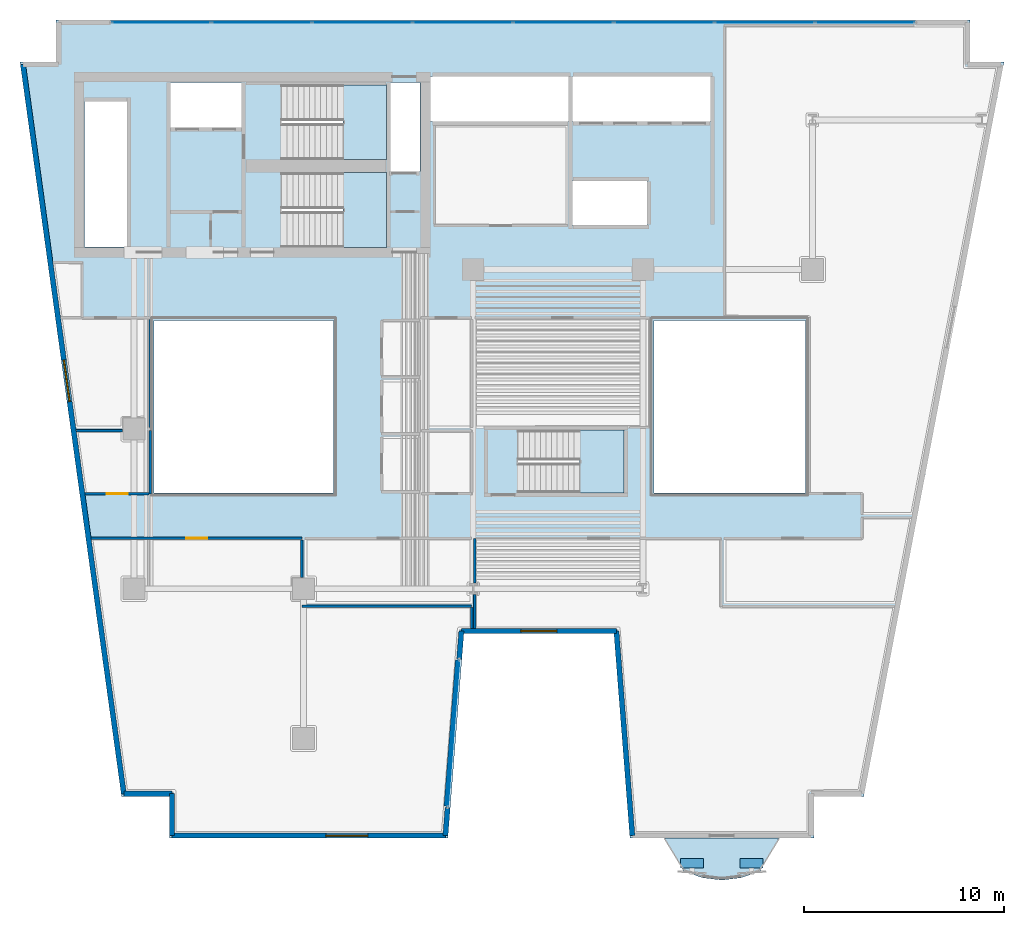
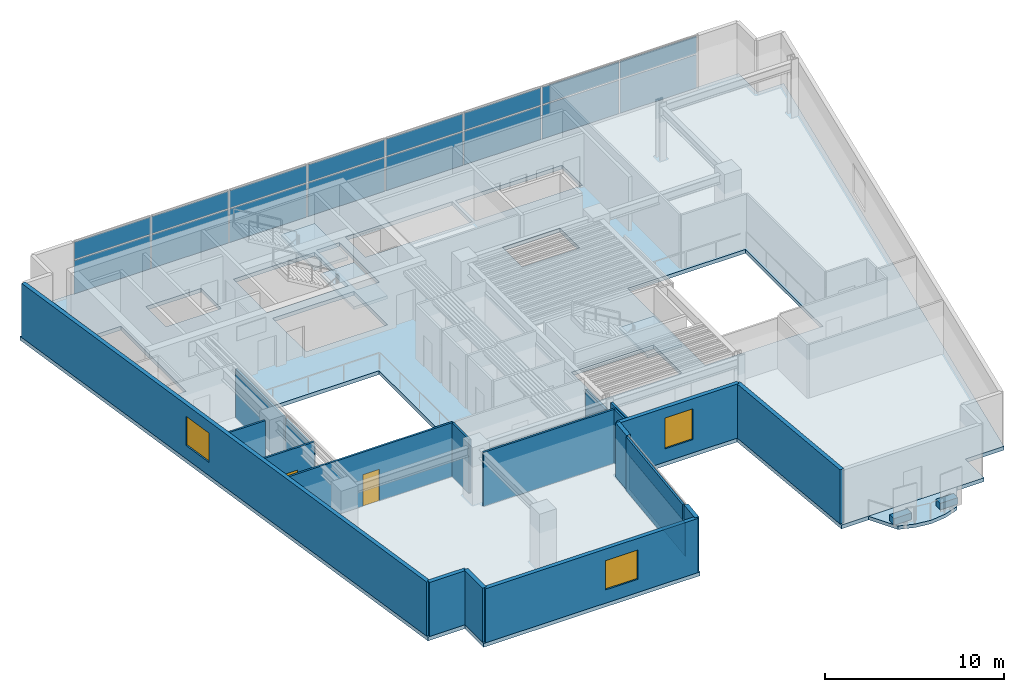
# One storey, part 5 of 12: 20 plates, 19 walls, 5 slabs, 3 windows, 2 doors, 5 openings, 5 elements without a shape of their own.
"""IFC4 building model written with IfcOpenShell, lengths in metres."""

from ifc_helpers import new_model, si_unit, direction, frame, frame_2d, origin, origin_2d, place, context, subcontext, project, spatial, polyline, rectangle, outline, extrude, material, layer, layer_set, type_object, element, fill, aggregate, save


model = new_model("IFC4")

# Units and contexts
model_context = context("Model", 3, precision=1e-05, world=origin(), true_north=direction((0.0, 1.0)))
body_context = subcontext(model_context, "Body", "Model", "MODEL_VIEW")
ifc_project = project(units=[si_unit("LENGTHUNIT", "METRE"), si_unit("AREAUNIT", "SQUARE_METRE"), si_unit("VOLUMEUNIT", "CUBIC_METRE"), si_unit("PLANEANGLEUNIT", "RADIAN"), si_unit("MASSUNIT", "GRAM", prefix="KILO")], contexts=[model_context])

# Site, building, storey
site_placement = place(None, origin())
site = spatial("IfcSite", under=ifc_project, at=site_placement, CompositionType="ELEMENT")
building_placement = place(site_placement, origin())
building = spatial("IfcBuilding", under=site, at=building_placement, Name="Caeloran Harvest Quay", CompositionType="ELEMENT")
storey_placement = place(building_placement, frame((0.0, 0.0, 111.39990234375)))
storey = spatial("IfcBuildingStorey", under=building, at=storey_placement, Name="L25", CompositionType="ELEMENT", Elevation=111.39990234375)

# Slab
ifc_material_1 = material(Name="Concrete C50/60", Category="concrete")
ifc_layer_1 = layer(ifc_material_1, 0.239990234375, Name="Concrete C50/60")
ifc_layer_set_1 = layer_set([ifc_layer_1], Name="Concrete C50/60")
slab_type_1 = type_object("IfcSlabType", Name="BALCONY-BL-240", PredefinedType="FLOOR", material=ifc_layer_set_1)
slab_1_placement = place(storey_placement, frame((0.0, 0.0, -0.239990234375)))
element("IfcSlab", 1, at=slab_1_placement, inside=storey, type_object=slab_type_1, Name="L25 Scalloped Cantilevered Planted Balcony Slab", PredefinedType="FLOOR", context=body_context, shape_type="SweptSolid", body=[
    extrude(outline(polyline([(39.869873046875, 0.839599609375), (38.913818359375, 0.51708984375), (37.95751953125, 0.39892578125), (37.001220703125, 0.51708984375), (36.045166015625, 0.839599609375), (35.100341796875, 2.5), (40.814697265625, 2.5), (39.869873046875, 0.839599609375)])), origin(), (0.0, 0.0, 1.0), 0.239990234375),
])

# Curtain wall, plates
ifc_material_2 = material(Name="Aluminium 6063-T6 and Low-E Glazing", Category="aluminium")
ifc_layer_2 = layer(ifc_material_2, 0.18994140625, Name="Aluminium 6063-T6 and Low-E Glazing")
ifc_layer_set_2 = layer_set([ifc_layer_2], Name="Aluminium 6063-T6 and Low-E Glazing")
curtain_wall_type = type_object("IfcCurtainWallType", Name="CW-SYS-CW-3", PredefinedType="USERDEFINED", material=ifc_layer_set_2)
curtain_wall_1_placement = place(storey_placement, origin())
curtain_wall_1 = element("IfcCurtainWall", 2, at=curtain_wall_1_placement, inside=storey, type_object=curtain_wall_type, Name="L25 Unitised Curtain Wall CW-3 Run 6", ObjectType="CURTAIN_WALL", PredefinedType="USERDEFINED")
ifc_material_3 = material(Name="Low-E Double Glazed Vision Glass Unit", Category="glass")
ifc_layer_3 = layer(ifc_material_3, 0.035888671875, Name="Low-E Double Glazed Vision Glass Unit")
ifc_layer_set_3 = layer_set([ifc_layer_3], Name="Low-E Double Glazed Vision Glass Unit")
plate_type_1 = type_object("IfcPlateType", Name="CW-VISION-PANEL", PredefinedType="CURTAIN_PANEL", material=ifc_layer_set_3)
plate_1_placement = place(storey_placement, frame((9.871337890625, 43.3701171875, 0.080078125), z_axis=(0.0, 0.0, 1.0), x_axis=(1.0, 0.0, 0.0)))
plate_1 = element("IfcPlate", 3, at=plate_1_placement, type_object=plate_type_1, Name="CW-3 panel 1.1", PredefinedType="CURTAIN_PANEL", context=body_context, shape_type="SweptSolid", body=[
    extrude(rectangle(XDim=4.922607421875, YDim=0.035888671875, at=origin_2d()), origin(), (0.0, 0.0, 1.0), 2.280029296875),
])
plate_2_placement = place(storey_placement, frame((9.871337890625, 43.3701171875, 2.440185546875), z_axis=(0.0, 0.0, 1.0), x_axis=(1.0, 0.0, 0.0)))
plate_2 = element("IfcPlate", 4, at=plate_2_placement, type_object=plate_type_1, Name="CW-3 panel 1.2", PredefinedType="CURTAIN_PANEL", context=body_context, shape_type="SweptSolid", body=[
    extrude(rectangle(XDim=4.922607421875, YDim=0.035888671875, at=origin_2d()), origin(), (0.0, 0.0, 1.0), 1.169921875),
])
plate_3_placement = place(storey_placement, frame((14.893798828125, 43.3701171875, 0.080078125), z_axis=(0.0, 0.0, 1.0), x_axis=(1.0, 0.0, 0.0)))
plate_3 = element("IfcPlate", 5, at=plate_3_placement, type_object=plate_type_1, Name="CW-3 panel 2.1", PredefinedType="CURTAIN_PANEL", context=body_context, shape_type="SweptSolid", body=[
    extrude(rectangle(XDim=4.96240234375, YDim=0.035888671875, at=origin_2d()), origin(), (0.0, 0.0, 1.0), 2.280029296875),
])
plate_4_placement = place(storey_placement, frame((14.893798828125, 43.3701171875, 2.440185546875), z_axis=(0.0, 0.0, 1.0), x_axis=(1.0, 0.0, 0.0)))
plate_4 = element("IfcPlate", 6, at=plate_4_placement, type_object=plate_type_1, Name="CW-3 panel 2.2", PredefinedType="CURTAIN_PANEL", context=body_context, shape_type="SweptSolid", body=[
    extrude(rectangle(XDim=4.96240234375, YDim=0.035888671875, at=origin_2d()), origin(), (0.0, 0.0, 1.0), 1.169921875),
])
plate_5_placement = place(storey_placement, frame((19.936279296875, 43.3701171875, 0.080078125), z_axis=(0.0, 0.0, 1.0), x_axis=(1.0, 0.0, 0.0)))
plate_5 = element("IfcPlate", 7, at=plate_5_placement, type_object=plate_type_1, Name="CW-3 panel 3.1", PredefinedType="CURTAIN_PANEL", context=body_context, shape_type="SweptSolid", body=[
    extrude(rectangle(XDim=4.96240234375, YDim=0.035888671875, at=origin_2d()), origin(), (0.0, 0.0, 1.0), 2.280029296875),
])
plate_6_placement = place(storey_placement, frame((19.936279296875, 43.3701171875, 2.440185546875), z_axis=(0.0, 0.0, 1.0), x_axis=(1.0, 0.0, 0.0)))
plate_6 = element("IfcPlate", 8, at=plate_6_placement, type_object=plate_type_1, Name="CW-3 panel 3.2", PredefinedType="CURTAIN_PANEL", context=body_context, shape_type="SweptSolid", body=[
    extrude(rectangle(XDim=4.96240234375, YDim=0.035888671875, at=origin_2d()), origin(), (0.0, 0.0, 1.0), 1.169921875),
])
plate_7_placement = place(storey_placement, frame((24.978759765625, 43.3701171875, 0.080078125), z_axis=(0.0, 0.0, 1.0), x_axis=(1.0, 0.0, 0.0)))
plate_7 = element("IfcPlate", 9, at=plate_7_placement, type_object=plate_type_1, Name="CW-3 panel 4.1", PredefinedType="CURTAIN_PANEL", context=body_context, shape_type="SweptSolid", body=[
    extrude(rectangle(XDim=4.96240234375, YDim=0.035888671875, at=origin_2d()), origin(), (0.0, 0.0, 1.0), 2.280029296875),
])
plate_8_placement = place(storey_placement, frame((24.978759765625, 43.3701171875, 2.440185546875), z_axis=(0.0, 0.0, 1.0), x_axis=(1.0, 0.0, 0.0)))
plate_8 = element("IfcPlate", 10, at=plate_8_placement, type_object=plate_type_1, Name="CW-3 panel 4.2", PredefinedType="CURTAIN_PANEL", context=body_context, shape_type="SweptSolid", body=[
    extrude(rectangle(XDim=4.96240234375, YDim=0.035888671875, at=origin_2d()), origin(), (0.0, 0.0, 1.0), 1.169921875),
])
plate_9_placement = place(storey_placement, frame((30.021240234375, 43.3701171875, 0.080078125), z_axis=(0.0, 0.0, 1.0), x_axis=(1.0, 0.0, 0.0)))
plate_9 = element("IfcPlate", 11, at=plate_9_placement, type_object=plate_type_1, Name="CW-3 panel 5.1", PredefinedType="CURTAIN_PANEL", context=body_context, shape_type="SweptSolid", body=[
    extrude(rectangle(XDim=4.96240234375, YDim=0.035888671875, at=origin_2d()), origin(), (0.0, 0.0, 1.0), 2.280029296875),
])
plate_10_placement = place(storey_placement, frame((30.021240234375, 43.3701171875, 2.440185546875), z_axis=(0.0, 0.0, 1.0), x_axis=(1.0, 0.0, 0.0)))
plate_10 = element("IfcPlate", 12, at=plate_10_placement, type_object=plate_type_1, Name="CW-3 panel 5.2", PredefinedType="CURTAIN_PANEL", context=body_context, shape_type="SweptSolid", body=[
    extrude(rectangle(XDim=4.96240234375, YDim=0.035888671875, at=origin_2d()), origin(), (0.0, 0.0, 1.0), 1.169921875),
])
plate_11_placement = place(storey_placement, frame((35.063720703125, 43.3701171875, 0.080078125), z_axis=(0.0, 0.0, 1.0), x_axis=(1.0, 0.0, 0.0)))
plate_11 = element("IfcPlate", 13, at=plate_11_placement, type_object=plate_type_1, Name="CW-3 panel 6.1", PredefinedType="CURTAIN_PANEL", context=body_context, shape_type="SweptSolid", body=[
    extrude(rectangle(XDim=4.96240234375, YDim=0.035888671875, at=origin_2d()), origin(), (0.0, 0.0, 1.0), 2.280029296875),
])
plate_12_placement = place(storey_placement, frame((35.063720703125, 43.3701171875, 2.440185546875), z_axis=(0.0, 0.0, 1.0), x_axis=(1.0, 0.0, 0.0)))
plate_12 = element("IfcPlate", 14, at=plate_12_placement, type_object=plate_type_1, Name="CW-3 panel 6.2", PredefinedType="CURTAIN_PANEL", context=body_context, shape_type="SweptSolid", body=[
    extrude(rectangle(XDim=4.96240234375, YDim=0.035888671875, at=origin_2d()), origin(), (0.0, 0.0, 1.0), 1.169921875),
])
plate_13_placement = place(storey_placement, frame((40.106201171875, 43.3701171875, 0.080078125), z_axis=(0.0, 0.0, 1.0), x_axis=(1.0, 0.0, 0.0)))
plate_13 = element("IfcPlate", 15, at=plate_13_placement, type_object=plate_type_1, Name="CW-3 panel 7.1", PredefinedType="CURTAIN_PANEL", context=body_context, shape_type="SweptSolid", body=[
    extrude(rectangle(XDim=4.96240234375, YDim=0.035888671875, at=origin_2d()), origin(), (0.0, 0.0, 1.0), 2.280029296875),
])
plate_14_placement = place(storey_placement, frame((40.106201171875, 43.3701171875, 2.440185546875), z_axis=(0.0, 0.0, 1.0), x_axis=(1.0, 0.0, 0.0)))
plate_14 = element("IfcPlate", 16, at=plate_14_placement, type_object=plate_type_1, Name="CW-3 panel 7.2", PredefinedType="CURTAIN_PANEL", context=body_context, shape_type="SweptSolid", body=[
    extrude(rectangle(XDim=4.96240234375, YDim=0.035888671875, at=origin_2d()), origin(), (0.0, 0.0, 1.0), 1.169921875),
])
plate_15_placement = place(storey_placement, frame((45.128662109375, 43.3701171875, 0.080078125), z_axis=(0.0, 0.0, 1.0), x_axis=(1.0, 0.0, 0.0)))
plate_15 = element("IfcPlate", 17, at=plate_15_placement, type_object=plate_type_1, Name="CW-3 panel 8.1", PredefinedType="CURTAIN_PANEL", context=body_context, shape_type="SweptSolid", body=[
    extrude(rectangle(XDim=4.922607421875, YDim=0.035888671875, at=origin_2d()), origin(), (0.0, 0.0, 1.0), 2.280029296875),
])
plate_16_placement = place(storey_placement, frame((45.128662109375, 43.3701171875, 2.440185546875), z_axis=(0.0, 0.0, 1.0), x_axis=(1.0, 0.0, 0.0)))
plate_16 = element("IfcPlate", 18, at=plate_16_placement, type_object=plate_type_1, Name="CW-3 panel 8.2", PredefinedType="CURTAIN_PANEL", context=body_context, shape_type="SweptSolid", body=[
    extrude(rectangle(XDim=4.922607421875, YDim=0.035888671875, at=origin_2d()), origin(), (0.0, 0.0, 1.0), 1.169921875),
])
aggregate(curtain_wall_1, [plate_1, plate_2, plate_3, plate_4, plate_5, plate_6, plate_7, plate_8, plate_9, plate_10, plate_11, plate_12, plate_13, plate_14, plate_15, plate_16])

curtain_wall_2_placement = place(storey_placement, origin())
curtain_wall_2 = element("IfcCurtainWall", 19, at=curtain_wall_2_placement, inside=storey, type_object=curtain_wall_type, Name="L25 Unitised Curtain Wall CW-3 Run 15", ObjectType="CURTAIN_WALL", PredefinedType="USERDEFINED")
plate_17_placement = place(storey_placement, frame((24.509765625, 7.7548828125, 0.080078125), z_axis=(0.0, 0.0, 1.0), x_axis=(-0.077821861046, -0.996967280277, 0.0)))
plate_17 = element("IfcPlate", 20, at=plate_17_placement, type_object=plate_type_1, Name="CW-3 panel 1.1", PredefinedType="CURTAIN_PANEL", context=body_context, shape_type="SweptSolid", body=[
    extrude(rectangle(XDim=7.3212890625, YDim=0.035888671875, at=origin_2d()), origin(), (0.0, 0.0, 1.0), 2.280029296875),
])
plate_18_placement = place(storey_placement, frame((24.509765625, 7.7548828125, 2.440185546875), z_axis=(0.0, 0.0, 1.0), x_axis=(-0.077821861046, -0.996967280277, 0.0)))
plate_18 = element("IfcPlate", 21, at=plate_18_placement, type_object=plate_type_1, Name="CW-3 panel 1.2", PredefinedType="CURTAIN_PANEL", context=body_context, shape_type="SweptSolid", body=[
    extrude(rectangle(XDim=7.3212890625, YDim=0.035888671875, at=origin_2d()), origin(), (0.0, 0.0, 1.0), 1.169921875),
])
aggregate(curtain_wall_2, [plate_17, plate_18])

# Plates
ifc_material_4 = material(Name="Precast concrete C50/60", Category="concrete")
ifc_layer_4 = layer(ifc_material_4, 0.449951171875, Name="Precast concrete C50/60")
ifc_layer_set_4 = layer_set([ifc_layer_4], Name="Precast concrete C50/60")
plate_type_2 = type_object("IfcPlateType", Name="PLANTER-TROUGH-450", PredefinedType="USERDEFINED", material=ifc_layer_set_4)
for number, where, z_axis, x_axis, name in (
    (22, (39.44921875, 1.246826171875, 0.0), (0.0, 0.0, 1.0), (1.0, 0.0, 0.0), "L25 Balcony Vertical-Greenery Precast PLANTER Trough 1"),
    (23, (36.4658203125, 1.246826171875, 0.0), (0.0, 0.0, 1.0), (1.0, 0.0, 0.0), "L25 Balcony Vertical-Greenery Precast PLANTER Trough 2"),
):
    element("IfcPlate", number, at=place(storey_placement, frame(where, z_axis=z_axis, x_axis=x_axis)), inside=storey, type_object=plate_type_2, Name=name, ObjectType="PLANTER", PredefinedType="USERDEFINED", context=body_context, shape_type="SweptSolid", body=[
        extrude(rectangle(XDim=1.14990234375, YDim=0.47998046875, at=origin_2d()), origin(), (0.0, 0.0, 1.0), 0.449951171875),
    ])

# Slab
ifc_layer_5 = layer(ifc_material_1, 0.260009765625, Name="Concrete C50/60")
ifc_layer_set_5 = layer_set([ifc_layer_5], Name="Concrete C50/60")
slab_type_2 = type_object("IfcSlabType", Name="SLAB-FS-260", PredefinedType="FLOOR", material=ifc_layer_set_5)
slab_2_placement = place(storey_placement, frame((0.0, 0.0, -0.260009765625)))
element("IfcSlab", 24, at=slab_2_placement, inside=storey, type_object=slab_type_2, Name="L25 Structural Floor Slab", PredefinedType="FLOOR", context=body_context, shape_type="SweptSolid", body=[
    extrude(outline(polyline([(10.27001953125, 2.5), (24.22998046875, 2.5), (25.030029296875, 12.75), (32.554931640625, 12.75), (33.35498046875, 2.5), (42.570068359375, 2.5), (42.570068359375, 4.60009765625), (45.071044921875, 4.60009765625), (52.09912109375, 41.39990234375), (50.39990234375, 41.39990234375), (50.39990234375, 43.5), (4.60009765625, 43.5), (4.60009765625, 41.39990234375), (2.790283203125, 41.39990234375), (7.879638671875, 4.60009765625), (10.27001953125, 4.60009765625), (10.27001953125, 2.5)]), holes=[polyline([(18.5, 19.800048828125), (9.5, 19.800048828125), (9.5, 28.449951171875), (18.5, 28.449951171875), (18.5, 19.800048828125)]), polyline([(15.89990234375, 32.10009765625), (15.89990234375, 35.85009765625), (21.14990234375, 35.85009765625), (21.14990234375, 32.10009765625), (15.89990234375, 32.10009765625)]), polyline([(8.159912109375, 32.1201171875), (6.02001953125, 32.1201171875), (6.02001953125, 39.419921875), (8.159912109375, 39.419921875), (8.159912109375, 32.1201171875)]), polyline([(21.35009765625, 35.919921875), (21.35009765625, 40.3798828125), (22.830078125, 40.3798828125), (22.830078125, 35.919921875), (21.35009765625, 35.919921875)]), polyline([(15.89990234375, 40.25), (21.14990234375, 40.25), (21.14990234375, 36.5), (15.89990234375, 36.5), (15.89990234375, 40.25)]), polyline([(13.89990234375, 38.1201171875), (10.320068359375, 38.1201171875), (10.320068359375, 40.3798828125), (13.89990234375, 40.3798828125), (13.89990234375, 38.1201171875)]), polyline([(27.75, 22.949951171875), (33.050048828125, 22.949951171875), (33.050048828125, 19.800048828125), (27.75, 19.800048828125), (27.75, 22.949951171875)]), polyline([(34.550048828125, 19.800048828125), (34.550048828125, 28.449951171875), (42.14990234375, 28.449951171875), (42.14990234375, 19.800048828125), (34.550048828125, 19.800048828125)]), polyline([(34.199951171875, 33.219970703125), (30.47998046875, 33.219970703125), (30.47998046875, 35.429931640625), (34.199951171875, 35.429931640625), (34.199951171875, 33.219970703125)]), polyline([(23.3701171875, 38.419921875), (23.3701171875, 40.679931640625), (30.280029296875, 40.679931640625), (30.280029296875, 38.419921875), (23.3701171875, 38.419921875)]), polyline([(30.47998046875, 38.419921875), (30.47998046875, 40.679931640625), (37.3798828125, 40.679931640625), (37.3798828125, 38.419921875), (30.47998046875, 38.419921875)])]), origin(), (0.0, 0.0, 1.0), 0.260009765625),
])

# Stair, slab
stair_type_1 = type_object("IfcStairType", Name="STAIR-STC-180", PredefinedType="HALF_TURN_STAIR", material=ifc_material_1)
stair_1_placement = place(storey_placement, origin())
stair_1 = element("IfcStair", 25, at=stair_1_placement, inside=storey, type_object=stair_type_1, Name="L25 Core Pressurized Exit Stair ST-C1", PredefinedType="HALF_TURN_STAIR")
ifc_layer_6 = layer(ifc_material_1, 0.219970703125, Name="Concrete C50/60")
ifc_layer_set_6 = layer_set([ifc_layer_6], Name="Concrete C50/60")
slab_type_3 = type_object("IfcSlabType", Name="STAIR-LANDING-220", PredefinedType="LANDING", material=ifc_layer_set_6)
slab_3_placement = place(storey_placement, frame((0.0, 0.0, 1.775146484375)))
slab_3 = element("IfcSlab", 26, at=slab_3_placement, type_object=slab_type_3, Name="ST-C1 landing 1", PredefinedType="LANDING", context=body_context, shape_type="SweptSolid", body=[
    extrude(outline(polyline([(18.97998046875, 36.5), (21.14990234375, 36.5), (21.14990234375, 40.25), (18.97998046875, 40.25), (18.97998046875, 36.5)])), origin(), (0.0, 0.0, 1.0), 0.199951171875),
])
aggregate(stair_1, [slab_3])

stair_2_placement = place(storey_placement, origin())
stair_2 = element("IfcStair", 27, at=stair_2_placement, inside=storey, type_object=stair_type_1, Name="L25 Core Pressurized Exit Stair ST-C2", PredefinedType="HALF_TURN_STAIR")
slab_4_placement = place(storey_placement, frame((0.0, 0.0, 1.775146484375)))
slab_4 = element("IfcSlab", 28, at=slab_4_placement, type_object=slab_type_3, Name="ST-C2 landing 1", PredefinedType="LANDING", context=body_context, shape_type="SweptSolid", body=[
    extrude(outline(polyline([(18.97998046875, 32.10009765625), (21.14990234375, 32.10009765625), (21.14990234375, 35.85009765625), (18.97998046875, 35.85009765625), (18.97998046875, 32.10009765625)])), origin(), (0.0, 0.0, 1.0), 0.199951171875),
])
aggregate(stair_2, [slab_4])

stair_type_2 = type_object("IfcStairType", Name="STAIR-STW-150", PredefinedType="HALF_TURN_STAIR", material=ifc_material_1)
stair_3_placement = place(storey_placement, origin())
stair_3 = element("IfcStair", 29, at=stair_3_placement, inside=storey, type_object=stair_type_2, Name="L25 East Wing Protected Exit Stair ST-W1", PredefinedType="HALF_TURN_STAIR")
slab_5_placement = place(storey_placement, frame((0.0, 0.0, 1.775146484375)))
slab_5 = element("IfcSlab", 30, at=slab_5_placement, type_object=slab_type_3, Name="ST-W1 landing 1", PredefinedType="LANDING", context=body_context, shape_type="SweptSolid", body=[
    extrude(outline(polyline([(30.830078125, 19.800048828125), (33.050048828125, 19.800048828125), (33.050048828125, 22.949951171875), (30.830078125, 22.949951171875), (30.830078125, 19.800048828125)])), origin(), (0.0, 0.0, 1.0), 0.199951171875),
])
aggregate(stair_3, [slab_5])

# Walls
ifc_layer_7 = layer(ifc_material_4, 0.260009765625, Name="Precast concrete C50/60")
ifc_layer_set_7 = layer_set([ifc_layer_7], Name="Precast concrete C50/60")
wall_type_1 = type_object("IfcWallType", Name="ENV-WALL-EW-260", PredefinedType="STANDARD", material=ifc_layer_set_7)
wall_1_placement = place(storey_placement, frame((10.39990234375, 2.6298828125, 0.0), z_axis=(0.0, 0.0, 1.0), x_axis=(0.0, 1.0, 0.0)))
element("IfcWall", 31, at=wall_1_placement, inside=storey, type_object=wall_type_1, Name="L25 Exterior Precast Concrete Facade Wall 1", PredefinedType="STANDARD", context=body_context, shape_type="SweptSolid", body=[
    extrude(rectangle(XDim=2.10009765625, YDim=0.260009765625, at=frame_2d((1.050048828125, 0.0))), origin(), (0.0, 0.0, 1.0), 3.690185546875),
])
wall_2_placement = place(storey_placement, frame((10.39990234375, 4.72998046875, 0.0), z_axis=(0.0, 0.0, 1.0), x_axis=(-1.0, 0.0, 0.0)))
element("IfcWall", 32, at=wall_2_placement, inside=storey, type_object=wall_type_1, Name="L25 Exterior Precast Concrete Facade Wall 2", PredefinedType="STANDARD", context=body_context, shape_type="SweptSolid", body=[
    extrude(rectangle(XDim=2.406982421875, YDim=0.260009765625, at=frame_2d((1.20361328125, 0.0))), origin(), (0.0, 0.0, 1.0), 3.690185546875),
])

# Wall, opening, window
wall_3_placement = place(storey_placement, frame((7.992919921875, 4.72998046875, 0.0), z_axis=(0.0, 0.0, 1.0), x_axis=(-0.136989009016, 0.990572567462, 0.0)))
wall_3 = element("IfcWall", 33, at=wall_3_placement, inside=storey, type_object=wall_type_1, Name="L25 Exterior Precast Concrete Facade Wall 3", PredefinedType="STANDARD", context=body_context, shape_type="SweptSolid", body=[
    extrude(rectangle(XDim=36.8876953125, YDim=0.260009765625, at=frame_2d((18.44384765625, 0.0))), origin(), (0.0, 0.0, 1.0), 3.690185546875),
])
opening_1_placement = place(wall_3_placement, frame((19.8388671875, 0.0, 0.89990234375)))
opening_1 = element("IfcOpeningElement", 34, at=opening_1_placement, cuts=wall_3, Name="Opening W-06", PredefinedType="OPENING", context=body_context, shape_type="SweptSolid", body=[
    extrude(rectangle(XDim=2.10009765625, YDim=2.0, at=frame_2d((1.050048828125, 1.0))), frame((0.0, 0.14013671875, 0.0), z_axis=(0.0, -1.0, 0.0), x_axis=(1.0, 0.0, 0.0)), (0.0, 0.0, 1.0), 0.280029296875),
])
ifc_material_5 = material(Name="Aluminium-Framed Low-E Laminated Glass", Category="aluminium")
window_type_1 = type_object("IfcWindowType", Name="WIN-W-06", PartitioningType="DOUBLE_PANEL_VERTICAL", PredefinedType="WINDOW", material=ifc_material_5)
window_1_placement = place(opening_1_placement, origin())
window_1 = element("IfcWindow", 35, at=window_1_placement, inside=storey, type_object=window_type_1, Name="L25 Facade Punched Window W-06", OverallHeight=2.0, OverallWidth=2.10009765625, PartitioningType="DOUBLE_PANEL_VERTICAL", PredefinedType="WINDOW", context=body_context, shape_type="SweptSolid", body=[
    extrude(rectangle(XDim=2.10009765625, YDim=2.0, at=frame_2d((1.050048828125, 1.0))), frame((0.0, 0.030029296875, 0.0), z_axis=(0.0, -1.0, 0.0), x_axis=(1.0, 0.0, 0.0)), (0.0, 0.0, 1.0), 0.06005859375),
])
fill(opening_1, window_1)

# Wall
wall_4_placement = place(storey_placement, frame((33.47509765625, 2.6298828125, 0.0), z_axis=(0.0, 0.0, 1.0), x_axis=(-0.077793257511, 0.996969512616, 0.0)))
element("IfcWall", 36, at=wall_4_placement, inside=storey, type_object=wall_type_1, Name="L25 Exterior Precast Concrete Facade Wall 13", PredefinedType="STANDARD", context=body_context, shape_type="SweptSolid", body=[
    extrude(rectangle(XDim=10.28125, YDim=0.260009765625, at=frame_2d((5.140625, 0.0))), origin(), (0.0, 0.0, 1.0), 3.690185546875),
])

# Wall, opening, window
wall_5_placement = place(storey_placement, frame((32.67529296875, 12.8798828125, 0.0), z_axis=(0.0, 0.0, 1.0), x_axis=(-1.0, 0.0, 0.0)))
wall_5 = element("IfcWall", 37, at=wall_5_placement, inside=storey, type_object=wall_type_1, Name="L25 Exterior Precast Concrete Facade Wall 14", PredefinedType="STANDARD", context=body_context, shape_type="SweptSolid", body=[
    extrude(rectangle(XDim=7.765380859375, YDim=0.260009765625, at=frame_2d((3.8828125, 0.0))), origin(), (0.0, 0.0, 1.0), 3.690185546875),
])
opening_2_placement = place(wall_5_placement, frame((2.98291015625, 0.0, 0.89990234375)))
opening_2 = element("IfcOpeningElement", 38, at=opening_2_placement, cuts=wall_5, Name="Opening W-01", PredefinedType="OPENING", context=body_context, shape_type="SweptSolid", body=[
    extrude(rectangle(XDim=1.800048828125, YDim=2.10009765625, at=frame_2d((0.89990234375, 1.050048828125))), frame((0.0, 0.14013671875, 0.0), z_axis=(0.0, -1.0, 0.0), x_axis=(1.0, 0.0, 0.0)), (0.0, 0.0, 1.0), 0.280029296875),
])
window_type_2 = type_object("IfcWindowType", Name="WIN-W-01", PartitioningType="SINGLE_PANEL", PredefinedType="WINDOW", material=ifc_material_5)
window_2_placement = place(opening_2_placement, origin())
window_2 = element("IfcWindow", 39, at=window_2_placement, inside=storey, type_object=window_type_2, Name="L25 Facade Punched Window W-01", OverallHeight=2.10009765625, OverallWidth=1.800048828125, PartitioningType="SINGLE_PANEL", PredefinedType="WINDOW", context=body_context, shape_type="SweptSolid", body=[
    extrude(rectangle(XDim=1.800048828125, YDim=2.10009765625, at=frame_2d((0.89990234375, 1.050048828125))), frame((0.0, 0.030029296875, 0.0), z_axis=(0.0, -1.0, 0.0), x_axis=(1.0, 0.0, 0.0)), (0.0, 0.0, 1.0), 0.06005859375),
])
fill(opening_2, window_2)

# Walls
for number, where, z_axis, x_axis, name in (
    (40, (24.909912109375, 12.8798828125, 0.0), (0.0, 0.0, 1.0), (-0.077949956455, -0.996957273051, 0.0), "L25 Exterior Facade Corner Pier Wall 15A"),
    (41, (24.21875, 4.025634765625, 0.0), (0.0, 0.0, 1.0), (-0.077776627829, -0.996970810086, 0.0), "L25 Exterior Facade Corner Pier Wall 15B"),
):
    element("IfcWall", number, at=place(storey_placement, frame(where, z_axis=z_axis, x_axis=x_axis)), inside=storey, type_object=wall_type_1, Name=name, PredefinedType="STANDARD", context=body_context, shape_type="SweptSolid", body=[
        extrude(rectangle(XDim=1.39990234375, YDim=0.260009765625, at=frame_2d((0.699951171875, 0.0))), origin(), (0.0, 0.0, 1.0), 3.690185546875),
    ])

# Wall, opening, window
wall_6_placement = place(storey_placement, frame((24.10986328125, 2.6298828125, 0.0), z_axis=(0.0, 0.0, 1.0), x_axis=(-1.0, 0.0, 0.0)))
wall_6 = element("IfcWall", 42, at=wall_6_placement, inside=storey, type_object=wall_type_1, Name="L25 Exterior Precast Concrete Facade Wall 16", PredefinedType="STANDARD", context=body_context, shape_type="SweptSolid", body=[
    extrude(rectangle(XDim=13.7099609375, YDim=0.260009765625, at=frame_2d((6.85498046875, 0.0))), origin(), (0.0, 0.0, 1.0), 3.690185546875),
])
opening_3_placement = place(wall_6_placement, frame((3.885986328125, 0.0, 0.89990234375)))
opening_3 = element("IfcOpeningElement", 43, at=opening_3_placement, cuts=wall_6, Name="Opening W-06", PredefinedType="OPENING", context=body_context, shape_type="SweptSolid", body=[
    extrude(rectangle(XDim=2.10009765625, YDim=2.0, at=frame_2d((1.050048828125, 1.0))), frame((0.0, 0.14013671875, 0.0), z_axis=(0.0, -1.0, 0.0), x_axis=(1.0, 0.0, 0.0)), (0.0, 0.0, 1.0), 0.280029296875),
])
window_3_placement = place(opening_3_placement, origin())
window_3 = element("IfcWindow", 44, at=window_3_placement, inside=storey, type_object=window_type_1, Name="L25 Facade Punched Window W-06", OverallHeight=2.0, OverallWidth=2.10009765625, PartitioningType="DOUBLE_PANEL_VERTICAL", PredefinedType="WINDOW", context=body_context, shape_type="SweptSolid", body=[
    extrude(rectangle(XDim=2.10009765625, YDim=2.0, at=frame_2d((1.050048828125, 1.0))), frame((0.0, 0.030029296875, 0.0), z_axis=(0.0, -1.0, 0.0), x_axis=(1.0, 0.0, 0.0)), (0.0, 0.0, 1.0), 0.06005859375),
])
fill(opening_3, window_3)

# Wall, opening, door
ifc_material_6 = material(Name="Twin-Stud Mineral-Wool Acoustic Gypsum Partition", Category="gypsum")
ifc_layer_8 = layer(ifc_material_6, 0.125, Name="Twin-Stud Mineral-Wool Acoustic Gypsum Partition")
ifc_layer_set_8 = layer_set([ifc_layer_8], Name="Twin-Stud Mineral-Wool Acoustic Gypsum Partition")
wall_type_2 = type_object("IfcWallType", Name="INT-WALL-PW-125", PredefinedType="PARTITIONING", material=ifc_layer_set_8)
wall_7_placement = place(storey_placement, frame((6.3603515625, 17.52001953125, 0.0), z_axis=(0.0, 0.0, 1.0), x_axis=(1.0, 0.0, 0.0)))
wall_7 = element("IfcWall", 45, at=wall_7_placement, inside=storey, type_object=wall_type_2, Name="Agri-Robotics Open Research Workspace Partition Wall", PredefinedType="PARTITIONING", context=body_context, shape_type="SweptSolid", body=[
    extrude(rectangle(XDim=10.5595703125, YDim=0.125, at=frame_2d((5.27978515625, 0.0))), origin(), (0.0, 0.0, 1.0), 3.690185546875),
])
opening_4_placement = place(wall_7_placement, frame((4.7548828125, 0.0, 0.0)))
opening_4 = element("IfcOpeningElement", 46, at=opening_4_placement, cuts=wall_7, Name="Opening ID-03", PredefinedType="OPENING", context=body_context, shape_type="SweptSolid", body=[
    extrude(rectangle(XDim=1.050048828125, YDim=2.14990234375, at=frame_2d((0.52490234375, 1.074951171875))), frame((0.0, 0.072509765625, 0.0), z_axis=(0.0, -1.0, 0.0), x_axis=(1.0, 0.0, 0.0)), (0.0, 0.0, 1.0), 0.14501953125),
])
ifc_material_7 = material(Name="FSC Solid-Core Oak Timber Leaf", Category="wood")
door_type = type_object("IfcDoorType", Name="INTDOOR-ID-03", OperationType="NOTDEFINED", PredefinedType="DOOR", material=ifc_material_7)
door_1_placement = place(opening_4_placement, origin())
door_1 = element("IfcDoor", 47, at=door_1_placement, inside=storey, type_object=door_type, Name="Agri-Robotics Open Research Workspace Access Door", OperationType="SINGLE_SWING_LEFT", OverallHeight=2.14990234375, OverallWidth=1.050048828125, PredefinedType="DOOR", context=body_context, shape_type="SweptSolid", body=[
    extrude(rectangle(XDim=1.050048828125, YDim=2.14990234375, at=frame_2d((0.52490234375, 1.074951171875))), frame((0.0, 0.02490234375, 0.0), z_axis=(0.0, -1.0, 0.0), x_axis=(1.0, 0.0, 0.0)), (0.0, 0.0, 1.0), 0.050048828125),
])
fill(opening_4, door_1)

# Walls
wall_8_placement = place(storey_placement, frame((16.919921875, 17.452392578125, 0.0), z_axis=(0.0, 0.0, 1.0), x_axis=(0.0, -1.0, 0.0)))
element("IfcWall", 48, at=wall_8_placement, inside=storey, type_object=wall_type_2, Name="Agri-Robotics Open Research Workspace Partition Wall", PredefinedType="PARTITIONING", context=body_context, shape_type="SweptSolid", body=[
    extrude(rectangle(XDim=1.87744140625, YDim=0.125, at=frame_2d((0.938720703125, 0.0))), origin(), (0.0, 0.0, 1.0), 3.690185546875),
])
wall_9_placement = place(storey_placement, frame((16.919921875, 14.1201171875, 0.0), z_axis=(0.0, 0.0, 1.0), x_axis=(1.0, 0.0, 0.0)))
element("IfcWall", 49, at=wall_9_placement, inside=storey, type_object=wall_type_2, Name="Agri-Robotics Open Research Workspace Partition Wall", PredefinedType="PARTITIONING", context=body_context, shape_type="SweptSolid", body=[
    extrude(rectangle(XDim=8.5, YDim=0.125, at=frame_2d((4.25, 0.0))), origin(), (0.0, 0.0, 1.0), 3.690185546875),
])
wall_10_placement = place(storey_placement, frame((25.419921875, 14.052490234375, 0.0), z_axis=(0.0, 0.0, 1.0), x_axis=(0.0, -1.0, 0.0)))
element("IfcWall", 50, at=wall_10_placement, inside=storey, type_object=wall_type_2, Name="Agri-Robotics Open Research Workspace Partition Wall", PredefinedType="PARTITIONING", context=body_context, shape_type="SweptSolid", body=[
    extrude(rectangle(XDim=1.03759765625, YDim=0.125, at=frame_2d((0.518798828125, 0.0))), origin(), (0.0, 0.0, 1.0), 3.690185546875),
])
wall_11_placement = place(storey_placement, frame((24.665771484375, 11.419921875, 0.0), z_axis=(0.0, 0.0, 1.0), x_axis=(-0.077816821526, -0.996967673642, 0.0)))
element("IfcWall", 51, at=wall_11_placement, inside=storey, type_object=wall_type_2, Name="Agri-Robotics Open Research Workspace Partition Wall", PredefinedType="PARTITIONING", context=body_context, shape_type="SweptSolid", body=[
    extrude(rectangle(XDim=7.33203125, YDim=0.125, at=frame_2d((3.666015625, 0.0))), origin(), (0.0, 0.0, 1.0), 3.690185546875),
])
wall_12_placement = place(storey_placement, frame((25.580078125, 13.014892578125, 0.0), z_axis=(0.0, 0.0, 1.0), x_axis=(0.0, 1.0, 0.0)))
element("IfcWall", 52, at=wall_12_placement, inside=storey, type_object=wall_type_2, Name="Crop Genomics Wet Laboratory Partition Wall", PredefinedType="PARTITIONING", context=body_context, shape_type="SweptSolid", body=[
    extrude(rectangle(XDim=1.703125, YDim=0.125, at=frame_2d((0.8515625, 0.0))), origin(), (0.0, 0.0, 1.0), 3.690185546875),
])
wall_13_placement = place(storey_placement, frame((25.580078125, 15.281982421875, 0.0), z_axis=(0.0, 0.0, 1.0), x_axis=(0.0, 1.0, 0.0)))
element("IfcWall", 53, at=wall_13_placement, inside=storey, type_object=wall_type_2, Name="Crop Genomics Wet Laboratory Partition Wall", PredefinedType="PARTITIONING", context=body_context, shape_type="SweptSolid", body=[
    extrude(rectangle(XDim=2.238037109375, YDim=0.125, at=frame_2d((1.119140625, 0.0))), origin(), (0.0, 0.0, 1.0), 2.875),
])
wall_14_placement = place(storey_placement, frame((9.320068359375, 22.919921875, 0.0), z_axis=(0.0, 0.0, 1.0), x_axis=(0.0, -1.0, 0.0)))
element("IfcWall", 54, at=wall_14_placement, inside=storey, type_object=wall_type_2, Name="Collaborators Tea Lounge Partition Wall", PredefinedType="PARTITIONING", context=body_context, shape_type="SweptSolid", body=[
    extrude(rectangle(XDim=3.169921875, YDim=0.125, at=frame_2d((1.5849609375, 0.0))), origin(), (0.0, 0.0, 1.0), 3.315185546875),
])

# Wall, opening, door
wall_15_placement = place(storey_placement, frame((9.25244140625, 19.75, 0.0), z_axis=(0.0, 0.0, 1.0), x_axis=(-1.0, 0.0, 0.0)))
wall_15 = element("IfcWall", 55, at=wall_15_placement, inside=storey, type_object=wall_type_2, Name="Collaborators Tea Lounge Partition Wall", PredefinedType="PARTITIONING", context=body_context, shape_type="SweptSolid", body=[
    extrude(rectangle(XDim=3.200439453125, YDim=0.125, at=frame_2d((1.60009765625, 0.0))), origin(), (0.0, 0.0, 1.0), 3.690185546875),
])
opening_5_placement = place(wall_15_placement, frame((1.0751953125, 0.0, 0.0)))
opening_5 = element("IfcOpeningElement", 56, at=opening_5_placement, cuts=wall_15, Name="Opening ID-03", PredefinedType="OPENING", context=body_context, shape_type="SweptSolid", body=[
    extrude(rectangle(XDim=1.050048828125, YDim=2.14990234375, at=frame_2d((0.52490234375, 1.074951171875))), frame((0.0, 0.072509765625, 0.0), z_axis=(0.0, -1.0, 0.0), x_axis=(1.0, 0.0, 0.0)), (0.0, 0.0, 1.0), 0.14501953125),
])
door_2_placement = place(opening_5_placement, origin())
door_2 = element("IfcDoor", 57, at=door_2_placement, inside=storey, type_object=door_type, Name="Collaborators Tea Lounge Access Door", OperationType="SINGLE_SWING_RIGHT", OverallHeight=2.14990234375, OverallWidth=1.050048828125, PredefinedType="DOOR", context=body_context, shape_type="SweptSolid", body=[
    extrude(rectangle(XDim=1.050048828125, YDim=2.14990234375, at=frame_2d((0.52490234375, 1.074951171875))), frame((0.0, 0.02490234375, 0.0), z_axis=(0.0, -1.0, 0.0), x_axis=(1.0, 0.0, 0.0)), (0.0, 0.0, 1.0), 0.050048828125),
])
fill(opening_5, door_2)

# Walls
wall_16_placement = place(storey_placement, frame((5.613525390625, 22.919921875, 0.0), z_axis=(0.0, 0.0, 1.0), x_axis=(1.0, 0.0, 0.0)))
element("IfcWall", 58, at=wall_16_placement, inside=storey, type_object=wall_type_2, Name="Collaborators Tea Lounge Partition Wall", PredefinedType="PARTITIONING", context=body_context, shape_type="SweptSolid", body=[
    extrude(rectangle(XDim=2.3115234375, YDim=0.125, at=frame_2d((1.15576171875, 0.0))), origin(), (0.0, 0.0, 1.0), 3.690185546875),
])
wall_17_placement = place(storey_placement, frame((9.320068359375, 28.50244140625, 0.0), z_axis=(0.0, 0.0, 1.0), x_axis=(0.0, -1.0, 0.0)))
element("IfcWall", 59, at=wall_17_placement, inside=storey, type_object=wall_type_2, Name="Crop Genomics Wet Laboratory 9 Partition Wall", PredefinedType="PARTITIONING", context=body_context, shape_type="SweptSolid", body=[
    extrude(rectangle(XDim=5.42236328125, YDim=0.125, at=frame_2d((2.711181640625, 0.0))), origin(), (0.0, 0.0, 1.0), 3.315185546875),
])

save(model, "model.ifc")
